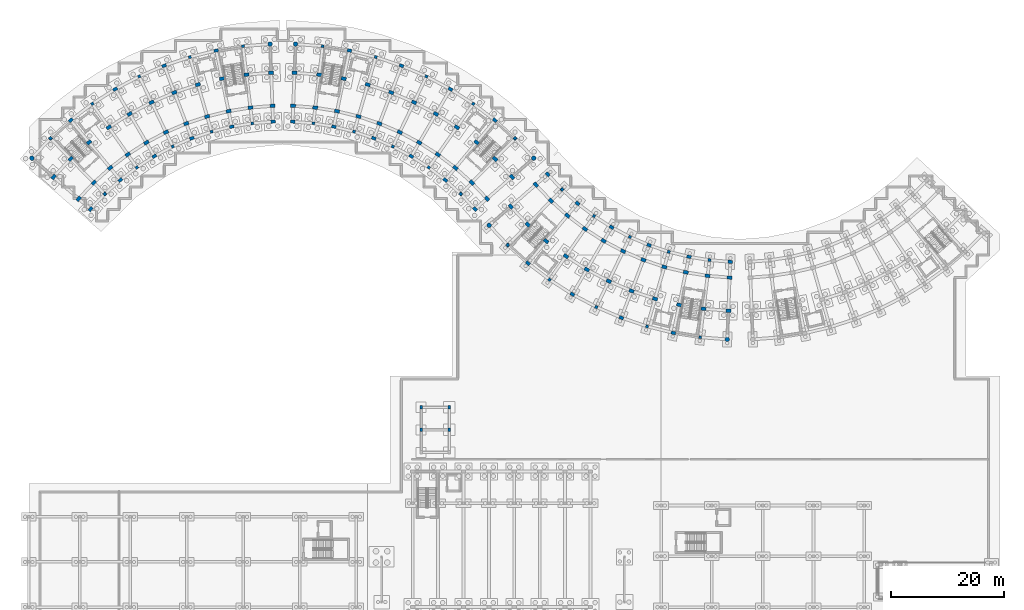
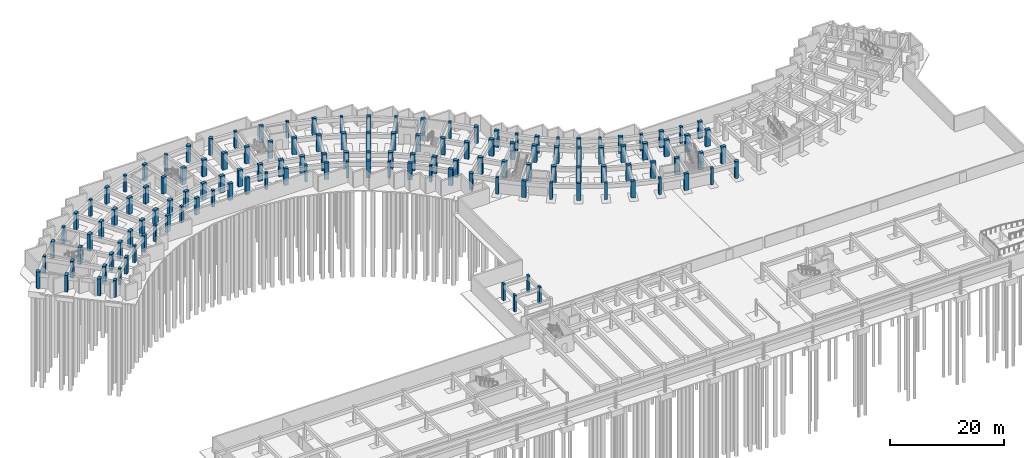
# One storey, part 9 of 32: 136 columns.
"""IFC4 building model written with IfcOpenShell, lengths in metres."""

from ifc_helpers import new_model, si_unit, direction, frame, origin, origin_2d, place, context, subcontext, project, spatial, rectangle, circle, extrude, material, material_profile, profile_set, type_object, element, save


model = new_model("IFC4")

# Units and contexts
model_context = context("Model", 3, precision=1e-05, world=origin(), true_north=direction((0.0, 1.0)))
body_context = subcontext(model_context, "Body", "Model", "MODEL_VIEW")
ifc_project = project(units=[si_unit("LENGTHUNIT", "METRE"), si_unit("AREAUNIT", "SQUARE_METRE"), si_unit("VOLUMEUNIT", "CUBIC_METRE"), si_unit("PLANEANGLEUNIT", "RADIAN"), si_unit("MASSUNIT", "GRAM", prefix="KILO")], contexts=[model_context])

# Site, building, storey
site_placement = place(None, origin())
site = spatial("IfcSite", under=ifc_project, at=site_placement, CompositionType="ELEMENT")
building_placement = place(site_placement, origin())
building = spatial("IfcBuilding", under=site, at=building_placement, Name="Zimvara Arc Housing Community", CompositionType="ELEMENT")
storey_placement = place(building_placement, frame((0.0, 0.0, -3.60009765625)))
storey = spatial("IfcBuildingStorey", under=building, at=storey_placement, Name="B1", CompositionType="ELEMENT", Elevation=-3.60009765625)

# Columns
ifc_material_1 = material(Name="Concrete C40/50", Category="concrete")
ifc_material_profile_1 = material_profile(ifc_material_1, rectangle(XDim=0.5, YDim=0.5, at=origin_2d()), Name="RC 500x500")
ifc_profile_set_1 = profile_set([ifc_material_profile_1], Name="Concrete C40/50")
column_type_1 = type_object("IfcColumnType", Name="COL-RC-500x500", PredefinedType="COLUMN", material=ifc_profile_set_1)
for number, where, z_axis, x_axis, name in (
    (1, (13.476318359375, 76.781005859375, 0.0), (0.0, 0.0, 1.0), (-0.698665066769, 0.715448897181, 0.0), "col:blkA:B1:b1:r0"),
    (2, (3.862548828125, 86.625732421875, 0.0), (0.0, 0.0, 1.0), (-0.698665066769, 0.715448897181, 0.0), "col:blkA:B1:b1:r3"),
    (3, (19.14599609375, 81.478271484375, 0.0), (0.0, 0.0, 1.0), (-0.573004420611, 0.819552276527, 0.0), "col:blkA:B1:b3:r0"),
    (4, (11.261474609375, 92.755126953125, 0.0), (0.0, 0.0, 1.0), (-0.573004420611, 0.819552276527, 0.0), "col:blkA:B1:b3:r3"),
    (5, (25.50439453125, 85.190673828125, 0.0), (0.0, 0.0, 1.0), (-0.432085748802, 0.901832526405, 0.0), "col:blkA:B1:b5:r0"),
    (6, (19.558837890625, 97.599853515625, 0.0), (0.0, 0.0, 1.0), (-0.432085748802, 0.901832526405, 0.0), "col:blkA:B1:b5:r3"),
    (7, (32.381591796875, 87.819580078125, 0.0), (0.0, 0.0, 1.0), (-0.27966144946, 0.96009867914, 0.0), "col:blkA:B1:b7:r0"),
    (8, (28.533447265625, 101.030517578125, 0.0), (0.0, 0.0, 1.0), (-0.27966144946, 0.96009867914, 0.0), "col:blkA:B1:b7:r3"),
    (9, (39.594970703125, 89.295166015625, 0.0), (0.0, 0.0, 1.0), (-0.119790293837, 0.992799217114, 0.0), "col:blkA:B1:b9:r0"),
    (10, (37.94677734375, 102.9560546875, 0.0), (0.0, 0.0, 1.0), (-0.119790293837, 0.992799217114, 0.0), "col:blkA:B1:b9:r3"),
    (11, (50.405029296875, 89.295166015625, 0.0), (0.0, 0.0, 1.0), (0.119790293837, 0.992799217114, 0.0), "col:blkB:B1:b1:r0"),
    (12, (52.05322265625, 102.9560546875, 0.0), (0.0, 0.0, 1.0), (0.119790293837, 0.992799217114, 0.0), "col:blkB:B1:b1:r3"),
    (13, (57.618408203125, 87.819580078125, 0.0), (0.0, 0.0, 1.0), (0.27966144946, 0.96009867914, 0.0), "col:blkB:B1:b3:r0"),
    (14, (61.466552734375, 101.030517578125, 0.0), (0.0, 0.0, 1.0), (0.27966144946, 0.96009867914, 0.0), "col:blkB:B1:b3:r3"),
    (15, (64.49560546875, 85.190673828125, 0.0), (0.0, 0.0, 1.0), (0.432085748802, 0.901832526405, 0.0), "col:blkB:B1:b5:r0"),
    (16, (70.441162109375, 97.599853515625, 0.0), (0.0, 0.0, 1.0), (0.432085748802, 0.901832526405, 0.0), "col:blkB:B1:b5:r3"),
    (17, (70.85400390625, 81.478271484375, 0.0), (0.0, 0.0, 1.0), (0.573004420611, 0.819552276527, 0.0), "col:blkB:B1:b7:r0"),
    (18, (78.738525390625, 92.755126953125, 0.0), (0.0, 0.0, 1.0), (0.573004420611, 0.819552276527, 0.0), "col:blkB:B1:b7:r3"),
    (19, (76.523681640625, 76.781005859375, 0.0), (0.0, 0.0, 1.0), (0.698665066769, 0.715448897181, 0.0), "col:blkB:B1:b9:r0"),
    (20, (86.137451171875, 86.625732421875, 0.0), (0.0, 0.0, 1.0), (0.698665066769, 0.715448897181, 0.0), "col:blkB:B1:b9:r3"),
    (21, (94.456298828125, 77.578857421875, 0.0), (0.0, 0.0, 1.0), (-0.698665066769, -0.715448897181, 0.0), "col:blkC:B1:b1:r0"),
    (22, (84.842529296875, 67.734375, 0.0), (0.0, 0.0, 1.0), (-0.698665066769, -0.715448897181, 0.0), "col:blkC:B1:b1:r3"),
    (23, (100.1259765625, 72.8818359375, 0.0), (0.0, 0.0, 1.0), (-0.573004420611, -0.819552276527, 0.0), "col:blkC:B1:b3:r0"),
    (24, (92.241455078125, 61.604736328125, 0.0), (0.0, 0.0, 1.0), (-0.573004420611, -0.819552276527, 0.0), "col:blkC:B1:b3:r3"),
    (25, (106.484375, 69.16943359375, 0.0), (0.0, 0.0, 1.0), (-0.432085748802, -0.901832526405, 0.0), "col:blkC:B1:b5:r0"),
    (26, (100.538818359375, 56.760009765625, 0.0), (0.0, 0.0, 1.0), (-0.432085748802, -0.901832526405, 0.0), "col:blkC:B1:b5:r3"),
    (27, (113.361572265625, 66.540283203125, 0.0), (0.0, 0.0, 1.0), (-0.27966144946, -0.96009867914, 0.0), "col:blkC:B1:b7:r0"),
    (28, (109.513427734375, 53.329345703125, 0.0), (0.0, 0.0, 1.0), (-0.27966144946, -0.96009867914, 0.0), "col:blkC:B1:b7:r3"),
    (29, (120.574951171875, 65.06494140625, 0.0), (0.0, 0.0, 1.0), (-0.119790293837, -0.992799217114, 0.0), "col:blkC:B1:b9:r0"),
    (30, (118.9267578125, 51.404052734375, 0.0), (0.0, 0.0, 1.0), (-0.119790293837, -0.992799217114, 0.0), "col:blkC:B1:b9:r3"),
):
    element("IfcColumn", number, at=place(storey_placement, frame(where, z_axis=z_axis, x_axis=x_axis)), inside=storey, type_object=column_type_1, Name=name, PredefinedType="COLUMN", context=body_context, shape_type="SweptSolid", body=[
        extrude(rectangle(XDim=0.5, YDim=0.5, at=origin_2d()), origin(), (0.0, 0.0, 1.0), 3.60009765625),
    ])
ifc_material_2 = material(Name="Concrete C40/50", Category="concrete")
ifc_material_profile_2 = material_profile(ifc_material_2, rectangle(XDim=0.550048828125, YDim=0.800048828125, at=origin_2d()), Name="RC 550x800")
ifc_profile_set_2 = profile_set([ifc_material_profile_2], Name="Concrete C40/50")
column_type_2 = type_object("IfcColumnType", Name="COL-RC-550x800", PredefinedType="COLUMN", material=ifc_profile_set_2)
for number, where, z_axis, x_axis, name in (
    (31, (10.947509765625, 74.101318359375, 0.0), (0.0, 0.0, 1.0), (-0.754709580223, 0.656059028991, 0.0), "col:blkA:B1:b0:r0"),
    (32, (16.215087890625, 79.245361328125, 0.0), (0.0, 0.0, 1.0), (-0.637961754089, 0.770068049148, 0.0), "col:blkA:B1:b2:r0"),
    (33, (7.436767578125, 89.841552734375, 0.0), (0.0, 0.0, 1.0), (-0.637961754089, 0.770068049148, 0.0), "col:blkA:B1:b2:r3"),
    (34, (22.249267578125, 83.46435546875, 0.0), (0.0, 0.0, 1.0), (-0.504226211181, 0.863571611366, 0.0), "col:blkA:B1:b4:r0"),
    (35, (15.311279296875, 95.34716796875, 0.0), (0.0, 0.0, 1.0), (-0.504226211181, 0.863571611366, 0.0), "col:blkA:B1:b4:r3"),
    (36, (28.88916015625, 86.645751953125, 0.0), (0.0, 0.0, 1.0), (-0.357064076459, 0.934079892355, 0.0), "col:blkA:B1:b6:r0"),
    (37, (23.97607421875, 99.49853515625, 0.0), (0.0, 0.0, 1.0), (-0.357064076459, 0.934079892355, 0.0), "col:blkA:B1:b6:r3"),
    (38, (35.958251953125, 88.704833984375, 0.0), (0.0, 0.0, 1.0), (-0.200393999665, 0.979715389742, 0.0), "col:blkA:B1:b8:r0"),
    (39, (33.20068359375, 102.185546875, 0.0), (0.0, 0.0, 1.0), (-0.200393999665, 0.979715389742, 0.0), "col:blkA:B1:b8:r3"),
    (40, (43.267822265625, 89.586669921875, 0.0), (0.0, 0.0, 1.0), (-0.038387809088, 0.999262916411, 0.0), "col:blkA:B1:b10:r0"),
    (41, (46.732177734375, 89.586669921875, 0.0), (0.0, 0.0, 1.0), (0.038387809088, 0.999262916411, 0.0), "col:blkB:B1:b0:r0"),
    (42, (54.041748046875, 88.704833984375, 0.0), (0.0, 0.0, 1.0), (0.200393999665, 0.979715389742, 0.0), "col:blkB:B1:b2:r0"),
    (43, (56.79931640625, 102.185546875, 0.0), (0.0, 0.0, 1.0), (0.200393999665, 0.979715389742, 0.0), "col:blkB:B1:b2:r3"),
    (44, (61.11083984375, 86.645751953125, 0.0), (0.0, 0.0, 1.0), (0.357064076459, 0.934079892355, 0.0), "col:blkB:B1:b4:r0"),
    (45, (66.02392578125, 99.49853515625, 0.0), (0.0, 0.0, 1.0), (0.357064076459, 0.934079892355, 0.0), "col:blkB:B1:b4:r3"),
    (46, (67.750732421875, 83.46435546875, 0.0), (0.0, 0.0, 1.0), (0.504226211181, 0.863571611366, 0.0), "col:blkB:B1:b6:r0"),
    (47, (74.688720703125, 95.34716796875, 0.0), (0.0, 0.0, 1.0), (0.504226211181, 0.863571611366, 0.0), "col:blkB:B1:b6:r3"),
    (48, (73.784912109375, 79.245361328125, 0.0), (0.0, 0.0, 1.0), (0.637961754089, 0.770068049148, 0.0), "col:blkB:B1:b8:r0"),
    (49, (82.563232421875, 89.841552734375, 0.0), (0.0, 0.0, 1.0), (0.637961754089, 0.770068049148, 0.0), "col:blkB:B1:b8:r3"),
    (50, (79.052490234375, 74.101318359375, 0.0), (0.0, 0.0, 1.0), (0.754709580223, 0.656059028991, 0.0), "col:blkB:B1:b10:r0"),
    (51, (91.927490234375, 80.258544921875, 0.0), (0.0, 0.0, 1.0), (-0.754709580223, -0.656059028991, 0.0), "col:blkC:B1:b0:r0"),
    (52, (97.195068359375, 75.114501953125, 0.0), (0.0, 0.0, 1.0), (-0.637961754089, -0.770068049148, 0.0), "col:blkC:B1:b2:r0"),
    (53, (88.416748046875, 64.518310546875, 0.0), (0.0, 0.0, 1.0), (-0.637961754089, -0.770068049148, 0.0), "col:blkC:B1:b2:r3"),
    (54, (103.229248046875, 70.895751953125, 0.0), (0.0, 0.0, 1.0), (-0.504226211181, -0.863571611366, 0.0), "col:blkC:B1:b4:r0"),
    (55, (96.291259765625, 59.012939453125, 0.0), (0.0, 0.0, 1.0), (-0.504226211181, -0.863571611366, 0.0), "col:blkC:B1:b4:r3"),
    (56, (109.869384765625, 67.71435546875, 0.0), (0.0, 0.0, 1.0), (-0.357064076459, -0.934079892355, 0.0), "col:blkC:B1:b6:r0"),
    (57, (104.9560546875, 54.861328125, 0.0), (0.0, 0.0, 1.0), (-0.357064076459, -0.934079892355, 0.0), "col:blkC:B1:b6:r3"),
    (58, (116.938232421875, 65.6552734375, 0.0), (0.0, 0.0, 1.0), (-0.200393999665, -0.979715389742, 0.0), "col:blkC:B1:b8:r0"),
    (59, (114.180908203125, 52.17431640625, 0.0), (0.0, 0.0, 1.0), (-0.200393999665, -0.979715389742, 0.0), "col:blkC:B1:b8:r3"),
    (60, (124.248046875, 64.773193359375, 0.0), (0.0, 0.0, 1.0), (-0.038387809088, -0.999262916411, 0.0), "col:blkC:B1:b10:r0"),
):
    element("IfcColumn", number, at=place(storey_placement, frame(where, z_axis=z_axis, x_axis=x_axis)), inside=storey, type_object=column_type_2, Name=name, PredefinedType="COLUMN", context=body_context, shape_type="SweptSolid", body=[
        extrude(rectangle(XDim=0.550048828125, YDim=0.800048828125, at=origin_2d()), origin(), (0.0, 0.0, 1.0), 3.60009765625),
    ])
ifc_material_3 = material(Name="Concrete C40/50", Category="concrete")
ifc_material_profile_3 = material_profile(ifc_material_3, rectangle(XDim=0.60009765625, YDim=0.89990234375, at=origin_2d()), Name="RC 600x900")
ifc_profile_set_3 = profile_set([ifc_material_profile_3], Name="Concrete C40/50")
column_type_3 = type_object("IfcColumnType", Name="COL-RC-600x900", PredefinedType="COLUMN", material=ifc_profile_set_3)
for number, where, z_axis, x_axis, name in (
    (61, (8.834228515625, 75.938232421875, 0.0), (0.0, 0.0, 1.0), (-0.754709580223, 0.656059028991, 0.0), "col:blkA:B1:b0:r1"),
    (62, (4.396728515625, 79.7958984375, 0.0), (0.0, 0.0, 1.0), (-0.754709580223, 0.656059028991, 0.0), "col:blkA:B1:b0:r2"),
    (63, (11.52001953125, 78.784423828125, 0.0), (0.0, 0.0, 1.0), (-0.698665066769, 0.715448897181, 0.0), "col:blkA:B1:b1:r1"),
    (64, (7.411865234375, 82.9912109375, 0.0), (0.0, 0.0, 1.0), (-0.698665066769, 0.715448897181, 0.0), "col:blkA:B1:b1:r2"),
    (65, (14.428955078125, 81.401611328125, 0.0), (0.0, 0.0, 1.0), (-0.637961754089, 0.770068049148, 0.0), "col:blkA:B1:b2:r1"),
    (66, (10.677734375, 85.9296875, 0.0), (0.0, 0.0, 1.0), (-0.637961754089, 0.770068049148, 0.0), "col:blkA:B1:b2:r2"),
    (67, (17.541748046875, 83.77294921875, 0.0), (0.0, 0.0, 1.0), (-0.573004420611, 0.819552276527, 0.0), "col:blkA:B1:b3:r1"),
    (68, (14.17236328125, 88.591796875, 0.0), (0.0, 0.0, 1.0), (-0.573004420611, 0.819552276527, 0.0), "col:blkA:B1:b3:r2"),
    (69, (20.83740234375, 85.88232421875, 0.0), (0.0, 0.0, 1.0), (-0.504226211181, 0.863571611366, 0.0), "col:blkA:B1:b4:r1"),
    (70, (17.87255859375, 90.960205078125, 0.0), (0.0, 0.0, 1.0), (-0.504226211181, 0.863571611366, 0.0), "col:blkA:B1:b4:r2"),
    (71, (24.29443359375, 87.7158203125, 0.0), (0.0, 0.0, 1.0), (-0.432085748802, 0.901832526405, 0.0), "col:blkA:B1:b5:r1"),
    (72, (21.75390625, 93.0185546875, 0.0), (0.0, 0.0, 1.0), (-0.432085748802, 0.901832526405, 0.0), "col:blkA:B1:b5:r2"),
    (73, (27.889404296875, 89.260986328125, 0.0), (0.0, 0.0, 1.0), (-0.357064076459, 0.934079892355, 0.0), "col:blkA:B1:b6:r1"),
    (74, (25.7900390625, 94.75341796875, 0.0), (0.0, 0.0, 1.0), (-0.357064076459, 0.934079892355, 0.0), "col:blkA:B1:b6:r2"),
    (75, (31.5986328125, 90.5078125, 0.0), (0.0, 0.0, 1.0), (-0.27966144946, 0.96009867914, 0.0), "col:blkA:B1:b7:r1"),
    (76, (29.9541015625, 96.1533203125, 0.0), (0.0, 0.0, 1.0), (-0.27966144946, 0.96009867914, 0.0), "col:blkA:B1:b7:r2"),
    (77, (35.397216796875, 91.447998046875, 0.0), (0.0, 0.0, 1.0), (-0.200393999665, 0.979715389742, 0.0), "col:blkA:B1:b8:r1"),
    (78, (34.21875, 97.208740234375, 0.0), (0.0, 0.0, 1.0), (-0.200393999665, 0.979715389742, 0.0), "col:blkA:B1:b8:r2"),
    (79, (39.259765625, 92.074951171875, 0.0), (0.0, 0.0, 1.0), (-0.119790293837, 0.992799217114, 0.0), "col:blkA:B1:b9:r1"),
    (80, (38.55517578125, 97.91259765625, 0.0), (0.0, 0.0, 1.0), (-0.119790293837, 0.992799217114, 0.0), "col:blkA:B1:b9:r2"),
    (81, (43.160400390625, 92.384765625, 0.0), (0.0, 0.0, 1.0), (-0.038387809088, 0.999262916411, 0.0), "col:blkA:B1:b10:r1"),
    (82, (42.934814453125, 98.26025390625, 0.0), (0.0, 0.0, 1.0), (-0.038387809088, 0.999262916411, 0.0), "col:blkA:B1:b10:r2"),
    (83, (46.839599609375, 92.384765625, 0.0), (0.0, 0.0, 1.0), (0.038387809088, 0.999262916411, 0.0), "col:blkB:B1:b0:r1"),
    (84, (47.065185546875, 98.26025390625, 0.0), (0.0, 0.0, 1.0), (0.038387809088, 0.999262916411, 0.0), "col:blkB:B1:b0:r2"),
    (85, (50.740234375, 92.074951171875, 0.0), (0.0, 0.0, 1.0), (0.119790293837, 0.992799217114, 0.0), "col:blkB:B1:b1:r1"),
    (86, (51.44482421875, 97.91259765625, 0.0), (0.0, 0.0, 1.0), (0.119790293837, 0.992799217114, 0.0), "col:blkB:B1:b1:r2"),
    (87, (54.602783203125, 91.447998046875, 0.0), (0.0, 0.0, 1.0), (0.200393999665, 0.979715389742, 0.0), "col:blkB:B1:b2:r1"),
    (88, (55.78125, 97.208740234375, 0.0), (0.0, 0.0, 1.0), (0.200393999665, 0.979715389742, 0.0), "col:blkB:B1:b2:r2"),
    (89, (58.4013671875, 90.5078125, 0.0), (0.0, 0.0, 1.0), (0.27966144946, 0.96009867914, 0.0), "col:blkB:B1:b3:r1"),
    (90, (60.0458984375, 96.1533203125, 0.0), (0.0, 0.0, 1.0), (0.27966144946, 0.96009867914, 0.0), "col:blkB:B1:b3:r2"),
    (91, (62.110595703125, 89.260986328125, 0.0), (0.0, 0.0, 1.0), (0.357064076459, 0.934079892355, 0.0), "col:blkB:B1:b4:r1"),
    (92, (64.2099609375, 94.75341796875, 0.0), (0.0, 0.0, 1.0), (0.357064076459, 0.934079892355, 0.0), "col:blkB:B1:b4:r2"),
    (93, (65.70556640625, 87.7158203125, 0.0), (0.0, 0.0, 1.0), (0.432085748802, 0.901832526405, 0.0), "col:blkB:B1:b5:r1"),
    (94, (68.24609375, 93.0185546875, 0.0), (0.0, 0.0, 1.0), (0.432085748802, 0.901832526405, 0.0), "col:blkB:B1:b5:r2"),
    (95, (69.16259765625, 85.88232421875, 0.0), (0.0, 0.0, 1.0), (0.504226211181, 0.863571611366, 0.0), "col:blkB:B1:b6:r1"),
    (96, (72.12744140625, 90.960205078125, 0.0), (0.0, 0.0, 1.0), (0.504226211181, 0.863571611366, 0.0), "col:blkB:B1:b6:r2"),
    (97, (72.458251953125, 83.77294921875, 0.0), (0.0, 0.0, 1.0), (0.573004420611, 0.819552276527, 0.0), "col:blkB:B1:b7:r1"),
    (98, (75.82763671875, 88.591796875, 0.0), (0.0, 0.0, 1.0), (0.573004420611, 0.819552276527, 0.0), "col:blkB:B1:b7:r2"),
    (99, (75.571044921875, 81.401611328125, 0.0), (0.0, 0.0, 1.0), (0.637961754089, 0.770068049148, 0.0), "col:blkB:B1:b8:r1"),
    (100, (79.322265625, 85.9296875, 0.0), (0.0, 0.0, 1.0), (0.637961754089, 0.770068049148, 0.0), "col:blkB:B1:b8:r2"),
    (101, (78.47998046875, 78.784423828125, 0.0), (0.0, 0.0, 1.0), (0.698665066769, 0.715448897181, 0.0), "col:blkB:B1:b9:r1"),
    (102, (82.588134765625, 82.9912109375, 0.0), (0.0, 0.0, 1.0), (0.698665066769, 0.715448897181, 0.0), "col:blkB:B1:b9:r2"),
    (103, (81.165771484375, 75.938232421875, 0.0), (0.0, 0.0, 1.0), (0.754709580223, 0.656059028991, 0.0), "col:blkB:B1:b10:r1"),
    (104, (85.603271484375, 79.7958984375, 0.0), (0.0, 0.0, 1.0), (0.754709580223, 0.656059028991, 0.0), "col:blkB:B1:b10:r2"),
    (105, (89.814208984375, 78.421630859375, 0.0), (0.0, 0.0, 1.0), (-0.754709580223, -0.656059028991, 0.0), "col:blkC:B1:b0:r1"),
    (106, (85.376708984375, 74.56396484375, 0.0), (0.0, 0.0, 1.0), (-0.754709580223, -0.656059028991, 0.0), "col:blkC:B1:b0:r2"),
    (107, (92.5, 75.57568359375, 0.0), (0.0, 0.0, 1.0), (-0.698665066769, -0.715448897181, 0.0), "col:blkC:B1:b1:r1"),
    (108, (88.391845703125, 71.368896484375, 0.0), (0.0, 0.0, 1.0), (-0.698665066769, -0.715448897181, 0.0), "col:blkC:B1:b1:r2"),
    (109, (95.408935546875, 72.958251953125, 0.0), (0.0, 0.0, 1.0), (-0.637961754089, -0.770068049148, 0.0), "col:blkC:B1:b2:r1"),
    (110, (91.65771484375, 68.430419921875, 0.0), (0.0, 0.0, 1.0), (-0.637961754089, -0.770068049148, 0.0), "col:blkC:B1:b2:r2"),
    (111, (98.521728515625, 70.587158203125, 0.0), (0.0, 0.0, 1.0), (-0.573004420611, -0.819552276527, 0.0), "col:blkC:B1:b3:r1"),
    (112, (95.15234375, 65.76806640625, 0.0), (0.0, 0.0, 1.0), (-0.573004420611, -0.819552276527, 0.0), "col:blkC:B1:b3:r2"),
    (113, (101.8173828125, 68.4775390625, 0.0), (0.0, 0.0, 1.0), (-0.504226211181, -0.863571611366, 0.0), "col:blkC:B1:b4:r1"),
    (114, (98.8525390625, 63.39990234375, 0.0), (0.0, 0.0, 1.0), (-0.504226211181, -0.863571611366, 0.0), "col:blkC:B1:b4:r2"),
    (115, (105.2744140625, 66.644287109375, 0.0), (0.0, 0.0, 1.0), (-0.432085748802, -0.901832526405, 0.0), "col:blkC:B1:b5:r1"),
    (116, (102.73388671875, 61.34130859375, 0.0), (0.0, 0.0, 1.0), (-0.432085748802, -0.901832526405, 0.0), "col:blkC:B1:b5:r2"),
    (117, (108.869384765625, 65.098876953125, 0.0), (0.0, 0.0, 1.0), (-0.357064076459, -0.934079892355, 0.0), "col:blkC:B1:b6:r1"),
    (118, (106.77001953125, 59.6064453125, 0.0), (0.0, 0.0, 1.0), (-0.357064076459, -0.934079892355, 0.0), "col:blkC:B1:b6:r2"),
    (119, (112.57861328125, 63.85205078125, 0.0), (0.0, 0.0, 1.0), (-0.27966144946, -0.96009867914, 0.0), "col:blkC:B1:b7:r1"),
    (120, (110.934326171875, 58.206787109375, 0.0), (0.0, 0.0, 1.0), (-0.27966144946, -0.96009867914, 0.0), "col:blkC:B1:b7:r2"),
    (121, (116.377197265625, 62.912109375, 0.0), (0.0, 0.0, 1.0), (-0.200393999665, -0.979715389742, 0.0), "col:blkC:B1:b8:r1"),
    (122, (115.19873046875, 57.1513671875, 0.0), (0.0, 0.0, 1.0), (-0.200393999665, -0.979715389742, 0.0), "col:blkC:B1:b8:r2"),
    (123, (120.23974609375, 62.28515625, 0.0), (0.0, 0.0, 1.0), (-0.119790293837, -0.992799217114, 0.0), "col:blkC:B1:b9:r1"),
    (124, (119.535400390625, 56.447509765625, 0.0), (0.0, 0.0, 1.0), (-0.119790293837, -0.992799217114, 0.0), "col:blkC:B1:b9:r2"),
    (125, (124.140380859375, 61.975341796875, 0.0), (0.0, 0.0, 1.0), (-0.038387809088, -0.999262916411, 0.0), "col:blkC:B1:b10:r1"),
    (126, (123.914794921875, 56.099609375, 0.0), (0.0, 0.0, 1.0), (-0.038387809088, -0.999262916411, 0.0), "col:blkC:B1:b10:r2"),
):
    element("IfcColumn", number, at=place(storey_placement, frame(where, z_axis=z_axis, x_axis=x_axis)), inside=storey, type_object=column_type_3, Name=name, PredefinedType="COLUMN", context=body_context, shape_type="SweptSolid", body=[
        extrude(rectangle(XDim=0.60009765625, YDim=0.89990234375, at=origin_2d()), origin(), (0.0, 0.0, 1.0), 3.60009765625),
    ])
ifc_material_4 = material(Name="Concrete C40/50", Category="concrete")
ifc_material_profile_4 = material_profile(ifc_material_4, circle(Radius=0.39990234375, at=origin_2d()), Name="RC D800")
ifc_profile_set_4 = profile_set([ifc_material_profile_4], Name="Concrete C40/50")
column_type_4 = type_object("IfcColumnType", Name="COL-RC-D700", PredefinedType="COLUMN", material=ifc_profile_set_4)
for number, where, z_axis, x_axis, name in (
    (127, (0.562744140625, 83.128662109375, 0.0), (0.0, 0.0, 1.0), (-0.754709580223, 0.656059028991, 0.0), "col:blkA:B1:b0:r3"),
    (128, (42.73974609375, 103.336669921875, 0.0), (0.0, 0.0, 1.0), (-0.038387809088, 0.999262916411, 0.0), "col:blkA:B1:b10:r3"),
    (129, (47.26025390625, 103.336669921875, 0.0), (0.0, 0.0, 1.0), (0.038387809088, 0.999262916411, 0.0), "col:blkB:B1:b0:r3"),
    (130, (89.437255859375, 83.128662109375, 0.0), (0.0, 0.0, 1.0), (0.754709580223, 0.656059028991, 0.0), "col:blkB:B1:b10:r3"),
    (131, (81.542724609375, 71.231201171875, 0.0), (0.0, 0.0, 1.0), (-0.754709580223, -0.656059028991, 0.0), "col:blkC:B1:b0:r3"),
    (132, (123.7197265625, 51.0234375, 0.0), (0.0, 0.0, 1.0), (-0.038387809088, -0.999262916411, 0.0), "col:blkC:B1:b10:r3"),
):
    element("IfcColumn", number, at=place(storey_placement, frame(where, z_axis=z_axis, x_axis=x_axis)), inside=storey, type_object=column_type_4, Name=name, PredefinedType="COLUMN", context=body_context, shape_type="SweptSolid", body=[
        extrude(circle(Radius=0.39990234375, at=origin_2d()), origin(), (0.0, 0.0, 1.0), 3.60009765625),
    ])
ifc_material_5 = material(Name="Concrete C40/50", Category="concrete")
ifc_material_profile_5 = material_profile(ifc_material_5, rectangle(XDim=0.39990234375, YDim=0.60009765625, at=origin_2d()), Name="RC 400x600")
ifc_profile_set_5 = profile_set([ifc_material_profile_5], Name="Concrete C40/50")
column_type_5 = type_object("IfcColumnType", Name="COL-RC-PIL-400x550", PredefinedType="PILASTER", material=ifc_profile_set_5)
for number, where, z_axis, x_axis, name in (
    (133, (69.5, 35.0, 0.0), (0.0, 0.0, 1.0), (1.0, 0.0, 0.0), "col:pil:B1:3"),
    (134, (74.5, 35.0, 0.0), (0.0, 0.0, 1.0), (1.0, 0.0, 0.0), "col:pil:B1:4"),
    (135, (69.5, 39.0, 0.0), (0.0, 0.0, 1.0), (1.0, 0.0, 0.0), "col:pil:B1:5"),
    (136, (74.5, 39.0, 0.0), (0.0, 0.0, 1.0), (1.0, 0.0, 0.0), "col:pil:B1:6"),
):
    element("IfcColumn", number, at=place(storey_placement, frame(where, z_axis=z_axis, x_axis=x_axis)), inside=storey, type_object=column_type_5, Name=name, PredefinedType="PILASTER", context=body_context, shape_type="SweptSolid", body=[
        extrude(rectangle(XDim=0.39990234375, YDim=0.60009765625, at=origin_2d()), origin(), (0.0, 0.0, 1.0), 3.60009765625),
    ])

save(model, "model.ifc")
